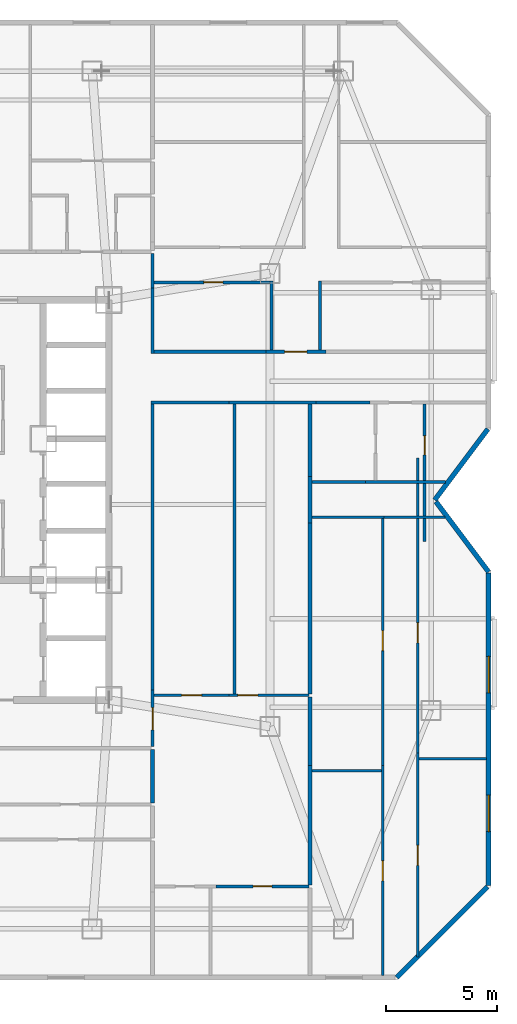
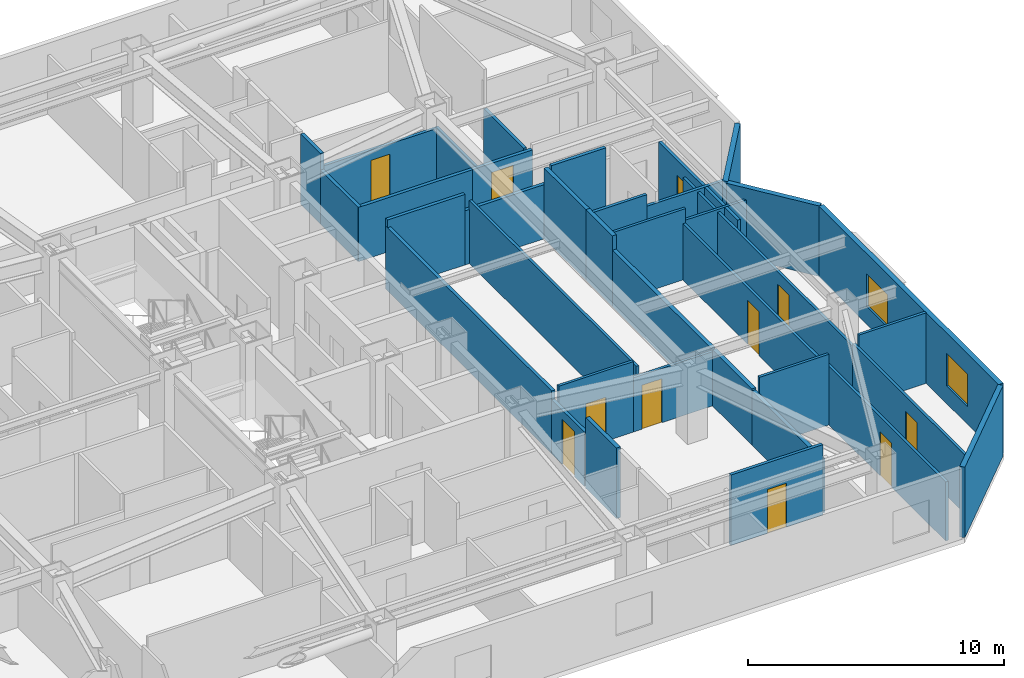
# One storey, part 14 of 17: 37 walls, 11 doors, 2 windows, 13 openings.
"""IFC4 building model written with IfcOpenShell, lengths in metres."""

from ifc_helpers import new_model, si_unit, direction, frame, frame_2d, origin, place, context, subcontext, project, spatial, rectangle, extrude, material, layer, layer_set, type_object, element, fill, save


model = new_model("IFC4")

# Units and contexts
model_context = context("Model", 3, precision=1e-05, world=origin(), true_north=direction((0.0, 1.0)))
body_context = subcontext(model_context, "Body", "Model", "MODEL_VIEW")
ifc_project = project(units=[si_unit("LENGTHUNIT", "METRE"), si_unit("AREAUNIT", "SQUARE_METRE"), si_unit("VOLUMEUNIT", "CUBIC_METRE"), si_unit("PLANEANGLEUNIT", "RADIAN"), si_unit("MASSUNIT", "GRAM", prefix="KILO")], contexts=[model_context])

# Site, building, storey
site_placement = place(None, origin())
site = spatial("IfcSite", under=ifc_project, at=site_placement, CompositionType="ELEMENT")
building_placement = place(site_placement, origin())
building = spatial("IfcBuilding", under=site, at=building_placement, Name="Khamvora Tower", CompositionType="ELEMENT")
storey_placement = place(building_placement, frame((0.0, 0.0, 142.050048828125)))
storey = spatial("IfcBuildingStorey", under=building, at=storey_placement, Name="L36", CompositionType="ELEMENT", Elevation=142.050048828125)

# Wall, opening, door
ifc_material_1 = material(Name="Fire-Rated Drywall and Steel Stud", Category="steel")
ifc_layer_1 = layer(ifc_material_1, 0.14990234375)
ifc_layer_set_1 = layer_set([ifc_layer_1], Name="Fire-Rated Drywall and Steel Stud")
wall_type_1 = type_object("IfcWallType", Name="WAL-CORR-150", PredefinedType="STANDARD", material=ifc_layer_set_1)
wall_1_placement = place(storey_placement, frame((41.364990234375, 19.458984375, 0.0), z_axis=(0.0, 0.0, 1.0), x_axis=(0.0, -1.0, 0.0)))
wall_1 = element("IfcWall", 1, at=wall_1_placement, inside=storey, type_object=wall_type_1, Name="L36 interior partition wall 028", PredefinedType="STANDARD", context=body_context, shape_type="SweptSolid", body=[
    extrude(rectangle(XDim=2.55908203125, YDim=0.14990234375, at=frame_2d((1.279541015625, 0.0))), origin(), (0.0, 0.0, 1.0), 2.5869140625),
])
opening_1_placement = place(wall_1_placement, frame((0.800048828125, 0.0, 0.0)))
opening_1 = element("IfcOpeningElement", 2, at=opening_1_placement, cuts=wall_1, Name="Opening D-U1", PredefinedType="OPENING", context=body_context, shape_type="SweptSolid", body=[
    extrude(rectangle(XDim=1.0, YDim=2.14990234375, at=frame_2d((0.5, 1.074951171875))), frame((0.0, 0.0849609375, 0.0), z_axis=(0.0, -1.0, 0.0), x_axis=(1.0, 0.0, 0.0)), (0.0, 0.0, 1.0), 0.169921875),
])
ifc_material_2 = material(Name="Powder-Coated Steel and Hardwood Leaf", Category="steel")
door_type_1 = type_object("IfcDoorType", Name="DOR-UNIT-1000", OperationType="NOTDEFINED", PredefinedType="DOOR", material=ifc_material_2)
door_1_placement = place(opening_1_placement, origin())
door_1 = element("IfcDoor", 3, at=door_1_placement, inside=storey, type_object=door_type_1, Name="L36 interior door COR-36EAH", OperationType="SINGLE_SWING_RIGHT", OverallHeight=2.14990234375, OverallWidth=1.0, PredefinedType="DOOR", context=body_context, shape_type="SweptSolid", body=[
    extrude(rectangle(XDim=1.0, YDim=2.14990234375, at=frame_2d((0.5, 1.074951171875))), frame((0.0, 0.02490234375, 0.0), z_axis=(0.0, -1.0, 0.0), x_axis=(1.0, 0.0, 0.0)), (0.0, 0.0, 1.0), 0.050048828125),
])
fill(opening_1, door_1)

# Walls
wall_2_placement = place(storey_placement, frame((48.708984375, 32.385009765625, 0.0), z_axis=(0.0, 0.0, 1.0), x_axis=(-1.0, 0.0, 0.0)))
element("IfcWall", 4, at=wall_2_placement, inside=storey, type_object=wall_type_1, Name="L36 interior partition wall 029", PredefinedType="STANDARD", context=body_context, shape_type="SweptSolid", body=[
    extrude(rectangle(XDim=3.906005859375, YDim=0.14990234375, at=frame_2d((1.953125, 0.0))), origin(), (0.0, 0.0, 1.0), 2.5869140625),
])
wall_3_placement = place(storey_placement, frame((44.802978515625, 32.385009765625, 0.0), z_axis=(0.0, 0.0, 1.0), x_axis=(-1.0, 0.0, 0.0)))
element("IfcWall", 5, at=wall_3_placement, inside=storey, type_object=wall_type_1, Name="L36 interior partition wall 030", PredefinedType="STANDARD", context=body_context, shape_type="SweptSolid", body=[
    extrude(rectangle(XDim=3.5029296875, YDim=0.14990234375, at=frame_2d((1.75146484375, 0.0))), origin(), (0.0, 0.0, 1.0), 3.369873046875),
])
wall_4_placement = place(storey_placement, frame((41.364990234375, 32.449951171875, 0.0), z_axis=(0.0, 0.0, 1.0), x_axis=(0.0, -1.0, 0.0)))
element("IfcWall", 6, at=wall_4_placement, inside=storey, type_object=wall_type_1, Name="L36 interior partition wall 031", PredefinedType="STANDARD", context=body_context, shape_type="SweptSolid", body=[
    extrude(rectangle(XDim=12.990966796875, YDim=0.14990234375, at=frame_2d((6.49560546875, 0.0))), origin(), (0.0, 0.0, 1.0), 3.0048828125),
])
wall_5_placement = place(storey_placement, frame((51.157958984375, 32.385009765625, 0.0), z_axis=(0.0, 0.0, 1.0), x_axis=(-1.0, 0.0, 0.0)))
element("IfcWall", 7, at=wall_5_placement, inside=storey, type_object=wall_type_1, Name="L36 interior partition wall 034", PredefinedType="STANDARD", context=body_context, shape_type="SweptSolid", body=[
    extrude(rectangle(XDim=2.448974609375, YDim=0.14990234375, at=frame_2d((1.224609375, 0.0))), origin(), (0.0, 0.0, 1.0), 3.369873046875),
])
wall_6_placement = place(storey_placement, frame((41.364990234375, 39.10009765625, 0.0), z_axis=(0.0, 0.0, 1.0), x_axis=(0.0, -1.0, 0.0)))
element("IfcWall", 8, at=wall_6_placement, inside=storey, type_object=wall_type_1, Name="L36 interior partition wall 035", PredefinedType="STANDARD", context=body_context, shape_type="SweptSolid", body=[
    extrude(rectangle(XDim=1.55712890625, YDim=0.14990234375, at=frame_2d((0.778564453125, 0.0))), origin(), (0.0, 0.0, 1.0), 3.369873046875),
])

# Wall, opening, door
wall_7_placement = place(storey_placement, frame((46.4609375, 34.6650390625, 0.0), z_axis=(0.0, 0.0, 1.0), x_axis=(1.0, 0.0, 0.0)))
wall_7 = element("IfcWall", 9, at=wall_7_placement, inside=storey, type_object=wall_type_1, Name="L36 interior partition wall 036", PredefinedType="STANDARD", context=body_context, shape_type="SweptSolid", body=[
    extrude(rectangle(XDim=2.697998046875, YDim=0.14990234375, at=frame_2d((1.34912109375, 0.0))), origin(), (0.0, 0.0, 1.0), 2.5869140625),
])
opening_2_placement = place(wall_7_placement, frame((0.84912109375, 0.0, 0.0)))
opening_2 = element("IfcOpeningElement", 10, at=opening_2_placement, cuts=wall_7, Name="Opening D-U1", PredefinedType="OPENING", context=body_context, shape_type="SweptSolid", body=[
    extrude(rectangle(XDim=1.0, YDim=2.14990234375, at=frame_2d((0.5, 1.074951171875))), frame((0.0, 0.0849609375, 0.0), z_axis=(0.0, -1.0, 0.0), x_axis=(1.0, 0.0, 0.0)), (0.0, 0.0, 1.0), 0.169921875),
])
door_2_placement = place(opening_2_placement, origin())
door_2 = element("IfcDoor", 11, at=door_2_placement, inside=storey, type_object=door_type_1, Name="L36 interior door COR-36ECH", OperationType="SINGLE_SWING_RIGHT", OverallHeight=2.14990234375, OverallWidth=1.0, PredefinedType="DOOR", context=body_context, shape_type="SweptSolid", body=[
    extrude(rectangle(XDim=1.0, YDim=2.14990234375, at=frame_2d((0.5, 1.074951171875))), frame((0.0, 0.02490234375, 0.0), z_axis=(0.0, -1.0, 0.0), x_axis=(1.0, 0.0, 0.0)), (0.0, 0.0, 1.0), 0.050048828125),
])
fill(opening_2, door_2)

# Walls
wall_8_placement = place(storey_placement, frame((41.364990234375, 37.54296875, 0.0), z_axis=(0.0, 0.0, 1.0), x_axis=(0.0, -1.0, 0.0)))
element("IfcWall", 12, at=wall_8_placement, inside=storey, type_object=wall_type_1, Name="L36 interior partition wall 037", PredefinedType="STANDARD", context=body_context, shape_type="SweptSolid", body=[
    extrude(rectangle(XDim=2.94287109375, YDim=0.14990234375, at=frame_2d((1.471435546875, 0.0))), origin(), (0.0, 0.0, 1.0), 2.5869140625),
])
wall_9_placement = place(storey_placement, frame((41.300048828125, 34.6650390625, 0.0), z_axis=(0.0, 0.0, 1.0), x_axis=(1.0, 0.0, 0.0)))
element("IfcWall", 13, at=wall_9_placement, inside=storey, type_object=wall_type_1, Name="L36 interior partition wall 038", PredefinedType="STANDARD", context=body_context, shape_type="SweptSolid", body=[
    extrude(rectangle(XDim=5.160888671875, YDim=0.14990234375, at=frame_2d((2.58056640625, 0.0))), origin(), (0.0, 0.0, 1.0), 2.5869140625),
])
ifc_material_3 = material(Name="Acoustic Double-Stud Fire Wall", Category="gypsum")
ifc_layer_2 = layer(ifc_material_3, 0.179931640625)
ifc_layer_set_2 = layer_set([ifc_layer_2], Name="Acoustic Double-Stud Fire Wall")
wall_type_2 = type_object("IfcWallType", Name="WAL-CORR-180", PredefinedType="STANDARD", material=ifc_layer_set_2)
wall_10_placement = place(storey_placement, frame((41.364990234375, 16.77001953125, 0.0), z_axis=(0.0, 0.0, 1.0), x_axis=(0.0, -1.0, 0.0)))
element("IfcWall", 14, at=wall_10_placement, inside=storey, type_object=wall_type_2, Name="L36 interior partition wall 097", PredefinedType="STANDARD", context=body_context, shape_type="SweptSolid", body=[
    extrude(rectangle(XDim=2.39990234375, YDim=0.179931640625, at=frame_2d((1.199951171875, 0.0))), origin(), (0.0, 0.0, 1.0), 3.369873046875),
])
wall_11_placement = place(storey_placement, frame((48.4599609375, 16.06103515625, 0.0), z_axis=(0.0, 0.0, 1.0), x_axis=(0.0, -1.0, 0.0)))
element("IfcWall", 15, at=wall_11_placement, inside=storey, type_object=wall_type_2, Name="L36 interior partition wall 115", PredefinedType="STANDARD", context=body_context, shape_type="SweptSolid", body=[
    extrude(rectangle(XDim=5.385986328125, YDim=0.179931640625, at=frame_2d((2.69287109375, 0.0))), origin(), (0.0, 0.0, 1.0), 2.5869140625),
])
wall_12_placement = place(storey_placement, frame((48.4599609375, 19.14501953125, 0.0), z_axis=(0.0, 0.0, 1.0), x_axis=(0.0, -1.0, 0.0)))
element("IfcWall", 16, at=wall_12_placement, inside=storey, type_object=wall_type_2, Name="L36 interior partition wall 116", PredefinedType="STANDARD", context=body_context, shape_type="SweptSolid", body=[
    extrude(rectangle(XDim=3.083984375, YDim=0.179931640625, at=frame_2d((1.5419921875, 0.0))), origin(), (0.0, 0.0, 1.0), 2.68701171875),
])
wall_13_placement = place(storey_placement, frame((48.4599609375, 29.053955078125, 0.0), z_axis=(0.0, 0.0, 1.0), x_axis=(0.0, -1.0, 0.0)))
element("IfcWall", 17, at=wall_13_placement, inside=storey, type_object=wall_type_2, Name="L36 interior partition wall 118", PredefinedType="STANDARD", context=body_context, shape_type="SweptSolid", body=[
    extrude(rectangle(XDim=2.077880859375, YDim=0.179931640625, at=frame_2d((1.0390625, 0.0))), origin(), (0.0, 0.0, 1.0), 3.369873046875),
])
wall_14_placement = place(storey_placement, frame((48.4599609375, 32.318115234375, 0.0), z_axis=(0.0, 0.0, 1.0), x_axis=(0.0, -1.0, 0.0)))
element("IfcWall", 18, at=wall_14_placement, inside=storey, type_object=wall_type_2, Name="L36 interior partition wall 119", PredefinedType="STANDARD", context=body_context, shape_type="SweptSolid", body=[
    extrude(rectangle(XDim=3.26416015625, YDim=0.179931640625, at=frame_2d((1.632080078125, 0.0))), origin(), (0.0, 0.0, 1.0), 3.369873046875),
])
wall_15_placement = place(storey_placement, frame((48.4599609375, 26.97607421875, 0.0), z_axis=(0.0, 0.0, 1.0), x_axis=(0.0, -1.0, 0.0)))
element("IfcWall", 19, at=wall_15_placement, inside=storey, type_object=wall_type_2, Name="L36 interior partition wall 120", PredefinedType="STANDARD", context=body_context, shape_type="SweptSolid", body=[
    extrude(rectangle(XDim=7.701171875, YDim=0.179931640625, at=frame_2d((3.8505859375, 0.0))), origin(), (0.0, 0.0, 1.0), 2.68701171875),
])
ifc_material_4 = material(Name="Precast concrete C40/50", Category="concrete")
ifc_layer_3 = layer(ifc_material_4, 0.219970703125)
ifc_layer_set_3 = layer_set([ifc_layer_3], Name="Precast concrete C40/50")
wall_type_3 = type_object("IfcWallType", Name="WAL-EXT-220", PredefinedType="STANDARD", material=ifc_layer_set_3)
wall_16_placement = place(storey_placement, frame((56.4560546875, 31.19091796875, 0.0), z_axis=(0.0, 0.0, 1.0), x_axis=(-0.600137081448, -0.799897170561, 0.0)))
element("IfcWall", 20, at=wall_16_placement, inside=storey, type_object=wall_type_3, Name="L36 exterior facade wall 10.1", PredefinedType="STANDARD", context=body_context, shape_type="SweptSolid", body=[
    extrude(rectangle(XDim=3.9892578125, YDim=0.219970703125, at=frame_2d((1.99462890625, 0.0))), origin(), (0.0, 0.0, 1.0), 3.369873046875),
])
wall_17_placement = place(storey_placement, frame((54.118896484375, 27.924072265625, 0.0), z_axis=(0.0, 0.0, 1.0), x_axis=(0.600039540588, -0.799970343032, 0.0)))
element("IfcWall", 21, at=wall_17_placement, inside=storey, type_object=wall_type_3, Name="L36 exterior facade wall 11.1", PredefinedType="STANDARD", context=body_context, shape_type="SweptSolid", body=[
    extrude(rectangle(XDim=3.95166015625, YDim=0.219970703125, at=frame_2d((1.975830078125, 0.0))), origin(), (0.0, 0.0, 1.0), 3.369873046875),
])

# Wall, openings, windows
wall_18_placement = place(storey_placement, frame((56.489990234375, 24.70703125, 0.0), z_axis=(0.0, 0.0, 1.0), x_axis=(0.0, -1.0, 0.0)))
wall_18 = element("IfcWall", 22, at=wall_18_placement, inside=storey, type_object=wall_type_3, Name="L36 exterior facade wall 12.1", PredefinedType="STANDARD", context=body_context, shape_type="SweptSolid", body=[
    extrude(rectangle(XDim=14.06103515625, YDim=0.219970703125, at=frame_2d((7.030517578125, 0.0))), origin(), (0.0, 0.0, 1.0), 3.369873046875),
])
opening_3_placement = place(wall_18_placement, frame((9.985107421875, 0.0, 0.85009765625)))
opening_3 = element("IfcOpeningElement", 23, at=opening_3_placement, cuts=wall_18, Name="Opening WN-06", PredefinedType="OPENING", context=body_context, shape_type="SweptSolid", body=[
    extrude(rectangle(XDim=1.64990234375, YDim=1.550048828125, at=frame_2d((0.824951171875, 0.77490234375))), frame((0.0, 0.119873046875, 0.0), z_axis=(0.0, -1.0, 0.0), x_axis=(1.0, 0.0, 0.0)), (0.0, 0.0, 1.0), 0.239990234375),
])
opening_4_placement = place(wall_18_placement, frame((3.739013671875, 0.0, 0.85009765625)))
opening_4 = element("IfcOpeningElement", 24, at=opening_4_placement, cuts=wall_18, Name="Opening WN-06", PredefinedType="OPENING", context=body_context, shape_type="SweptSolid", body=[
    extrude(rectangle(XDim=1.64990234375, YDim=1.550048828125, at=frame_2d((0.824951171875, 0.77490234375))), frame((0.0, 0.119873046875, 0.0), z_axis=(0.0, -1.0, 0.0), x_axis=(1.0, 0.0, 0.0)), (0.0, 0.0, 1.0), 0.239990234375),
])
ifc_material_5 = material(Name="Low-E Laminated Double Glazing", Category="glass")
window_type = type_object("IfcWindowType", Name="WIN-VIS-1650x1550", PartitioningType="SINGLE_PANEL", PredefinedType="WINDOW", material=ifc_material_5)
window_1_placement = place(opening_3_placement, origin())
window_1 = element("IfcWindow", 25, at=window_1_placement, inside=storey, type_object=window_type, Name="L36 vision window 12.1.01", OverallHeight=1.550048828125, OverallWidth=1.64990234375, PartitioningType="SINGLE_PANEL", PredefinedType="WINDOW", context=body_context, shape_type="SweptSolid", body=[
    extrude(rectangle(XDim=1.64990234375, YDim=1.550048828125, at=frame_2d((0.824951171875, 0.77490234375))), frame((0.0, 0.030029296875, 0.0), z_axis=(0.0, -1.0, 0.0), x_axis=(1.0, 0.0, 0.0)), (0.0, 0.0, 1.0), 0.06005859375),
])
fill(opening_3, window_1)
window_2_placement = place(opening_4_placement, origin())
window_2 = element("IfcWindow", 26, at=window_2_placement, inside=storey, type_object=window_type, Name="L36 vision window 12.1.02", OverallHeight=1.550048828125, OverallWidth=1.64990234375, PartitioningType="SINGLE_PANEL", PredefinedType="WINDOW", context=body_context, shape_type="SweptSolid", body=[
    extrude(rectangle(XDim=1.64990234375, YDim=1.550048828125, at=frame_2d((0.824951171875, 0.77490234375))), frame((0.0, 0.030029296875, 0.0), z_axis=(0.0, -1.0, 0.0), x_axis=(1.0, 0.0, 0.0)), (0.0, 0.0, 1.0), 0.06005859375),
])
fill(opening_4, window_2)

# Wall
wall_19_placement = place(storey_placement, frame((56.43994140625, 10.595947265625, 0.0), z_axis=(0.0, 0.0, 1.0), x_axis=(-0.707106781187, -0.707106781187, 0.0)))
element("IfcWall", 27, at=wall_19_placement, inside=storey, type_object=wall_type_3, Name="L36 exterior facade wall 13.1", PredefinedType="STANDARD", context=body_context, shape_type="SweptSolid", body=[
    extrude(rectangle(XDim=5.7783203125, YDim=0.219970703125, at=frame_2d((2.88916015625, 0.0))), origin(), (0.0, 0.0, 1.0), 3.369873046875),
])

# Wall, opening, door
ifc_material_6 = material(Name="Gypsum Plasterboard Partition", Category="gypsum")
ifc_layer_4 = layer(ifc_material_6, 0.1201171875)
ifc_layer_set_4 = layer_set([ifc_layer_4], Name="Gypsum Plasterboard Partition")
wall_type_4 = type_object("IfcWallType", Name="WAL-PART-120", PredefinedType="PARTITIONING", material=ifc_layer_set_4)
wall_20_placement = place(storey_placement, frame((44.802978515625, 19.2099609375, 0.0), z_axis=(0.0, 0.0, 1.0), x_axis=(1.0, 0.0, 0.0)))
wall_20 = element("IfcWall", 28, at=wall_20_placement, inside=storey, type_object=wall_type_4, Name="L36 interior partition wall 111", PredefinedType="PARTITIONING", context=body_context, shape_type="SweptSolid", body=[
    extrude(rectangle(XDim=3.592041015625, YDim=0.1201171875, at=frame_2d((1.7958984375, 0.0))), origin(), (0.0, 0.0, 1.0), 2.5869140625),
])
opening_5_placement = place(wall_20_placement, frame((0.39697265625, 0.0, 0.0)))
opening_5 = element("IfcOpeningElement", 29, at=opening_5_placement, cuts=wall_20, Name="Opening D-RM1", PredefinedType="OPENING", context=body_context, shape_type="SweptSolid", body=[
    extrude(rectangle(XDim=0.89990234375, YDim=2.10009765625, at=frame_2d((0.449951171875, 1.050048828125))), frame((0.0, 0.070068359375, 0.0), z_axis=(0.0, -1.0, 0.0), x_axis=(1.0, 0.0, 0.0)), (0.0, 0.0, 1.0), 0.14013671875),
])
door_type_2 = type_object("IfcDoorType", Name="DOR-ROOM-900", OperationType="NOTDEFINED", PredefinedType="DOOR", material=ifc_material_2)
door_3_placement = place(opening_5_placement, origin())
door_3 = element("IfcDoor", 30, at=door_3_placement, inside=storey, type_object=door_type_2, Name="L36 interior door 36EAH-36EAR2", OperationType="SINGLE_SWING_LEFT", OverallHeight=2.10009765625, OverallWidth=0.89990234375, PredefinedType="DOOR", context=body_context, shape_type="SweptSolid", body=[
    extrude(rectangle(XDim=0.89990234375, YDim=2.10009765625, at=frame_2d((0.449951171875, 1.050048828125))), frame((0.0, 0.02490234375, 0.0), z_axis=(0.0, -1.0, 0.0), x_axis=(1.0, 0.0, 0.0)), (0.0, 0.0, 1.0), 0.050048828125),
])
fill(opening_5, door_3)

wall_21_placement = place(storey_placement, frame((41.431884765625, 19.2099609375, 0.0), z_axis=(0.0, 0.0, 1.0), x_axis=(1.0, 0.0, 0.0)))
wall_21 = element("IfcWall", 31, at=wall_21_placement, inside=storey, type_object=wall_type_4, Name="L36 interior partition wall 114", PredefinedType="PARTITIONING", context=body_context, shape_type="SweptSolid", body=[
    extrude(rectangle(XDim=3.37109375, YDim=0.1201171875, at=frame_2d((1.685546875, 0.0))), origin(), (0.0, 0.0, 1.0), 3.369873046875),
])
opening_6_placement = place(wall_21_placement, frame((1.236083984375, 0.0, 0.0)))
opening_6 = element("IfcOpeningElement", 32, at=opening_6_placement, cuts=wall_21, Name="Opening D-RM1", PredefinedType="OPENING", context=body_context, shape_type="SweptSolid", body=[
    extrude(rectangle(XDim=0.89990234375, YDim=2.10009765625, at=frame_2d((0.449951171875, 1.050048828125))), frame((0.0, 0.070068359375, 0.0), z_axis=(0.0, -1.0, 0.0), x_axis=(1.0, 0.0, 0.0)), (0.0, 0.0, 1.0), 0.14013671875),
])
door_4_placement = place(opening_6_placement, origin())
door_4 = element("IfcDoor", 33, at=door_4_placement, inside=storey, type_object=door_type_2, Name="L36 interior door 36EAH-36EAR1", OperationType="SINGLE_SWING_LEFT", OverallHeight=2.10009765625, OverallWidth=0.89990234375, PredefinedType="DOOR", context=body_context, shape_type="SweptSolid", body=[
    extrude(rectangle(XDim=0.89990234375, YDim=2.10009765625, at=frame_2d((0.449951171875, 1.050048828125))), frame((0.0, 0.02490234375, 0.0), z_axis=(0.0, -1.0, 0.0), x_axis=(1.0, 0.0, 0.0)), (0.0, 0.0, 1.0), 0.050048828125),
])
fill(opening_6, door_4)

# Wall
wall_22_placement = place(storey_placement, frame((45.052001953125, 19.263916015625, 0.0), z_axis=(0.0, 0.0, 1.0), x_axis=(0.0, 1.0, 0.0)))
element("IfcWall", 34, at=wall_22_placement, inside=storey, type_object=wall_type_4, Name="L36 interior partition wall 117", PredefinedType="PARTITIONING", context=body_context, shape_type="SweptSolid", body=[
    extrude(rectangle(XDim=13.05419921875, YDim=0.1201171875, at=frame_2d((6.527099609375, 0.0))), origin(), (0.0, 0.0, 1.0), 3.0048828125),
])

# Wall, opening, door
wall_23_placement = place(storey_placement, frame((51.722900390625, 6.612060546875, 0.0), z_axis=(0.0, 0.0, 1.0), x_axis=(0.0, 1.0, 0.0)))
wall_23 = element("IfcWall", 35, at=wall_23_placement, inside=storey, type_object=wall_type_4, Name="L36 interior partition wall 127", PredefinedType="PARTITIONING", context=body_context, shape_type="SweptSolid", body=[
    extrude(rectangle(XDim=9.448974609375, YDim=0.1201171875, at=frame_2d((4.724609375, 0.0))), origin(), (0.0, 0.0, 1.0), 2.81591796875),
])
opening_7_placement = place(wall_23_placement, frame((4.2529296875, 0.0, 0.0)))
opening_7 = element("IfcOpeningElement", 36, at=opening_7_placement, cuts=wall_23, Name="Opening D-RM1", PredefinedType="OPENING", context=body_context, shape_type="SweptSolid", body=[
    extrude(rectangle(XDim=0.89990234375, YDim=2.10009765625, at=frame_2d((0.449951171875, 1.050048828125))), frame((0.0, 0.070068359375, 0.0), z_axis=(0.0, -1.0, 0.0), x_axis=(1.0, 0.0, 0.0)), (0.0, 0.0, 1.0), 0.14013671875),
])
door_5_placement = place(opening_7_placement, origin())
door_5 = element("IfcDoor", 37, at=door_5_placement, inside=storey, type_object=door_type_2, Name="L36 interior door 36EBH-36EBL", OperationType="SINGLE_SWING_RIGHT", OverallHeight=2.10009765625, OverallWidth=0.89990234375, PredefinedType="DOOR", context=body_context, shape_type="SweptSolid", body=[
    extrude(rectangle(XDim=0.89990234375, YDim=2.10009765625, at=frame_2d((0.449951171875, 1.050048828125))), frame((0.0, 0.02490234375, 0.0), z_axis=(0.0, -1.0, 0.0), x_axis=(1.0, 0.0, 0.0)), (0.0, 0.0, 1.0), 0.050048828125),
])
fill(opening_7, door_5)

wall_24_placement = place(storey_placement, frame((51.722900390625, 16.06103515625, 0.0), z_axis=(0.0, 0.0, 1.0), x_axis=(0.0, 1.0, 0.0)))
wall_24 = element("IfcWall", 38, at=wall_24_placement, inside=storey, type_object=wall_type_4, Name="L36 interior partition wall 128", PredefinedType="PARTITIONING", context=body_context, shape_type="SweptSolid", body=[
    extrude(rectangle(XDim=11.22900390625, YDim=0.1201171875, at=frame_2d((5.614501953125, 0.0))), origin(), (0.0, 0.0, 1.0), 2.68701171875),
])
opening_8_placement = place(wall_24_placement, frame((5.1640625, 0.0, 0.0)))
opening_8 = element("IfcOpeningElement", 39, at=opening_8_placement, cuts=wall_24, Name="Opening D-RM1", PredefinedType="OPENING", context=body_context, shape_type="SweptSolid", body=[
    extrude(rectangle(XDim=0.89990234375, YDim=2.10009765625, at=frame_2d((0.449951171875, 1.050048828125))), frame((0.0, 0.070068359375, 0.0), z_axis=(0.0, -1.0, 0.0), x_axis=(1.0, 0.0, 0.0)), (0.0, 0.0, 1.0), 0.14013671875),
])
door_6_placement = place(opening_8_placement, origin())
door_6 = element("IfcDoor", 40, at=door_6_placement, inside=storey, type_object=door_type_2, Name="L36 interior door 36EBH-36EBR2", OperationType="SINGLE_SWING_LEFT", OverallHeight=2.10009765625, OverallWidth=0.89990234375, PredefinedType="DOOR", context=body_context, shape_type="SweptSolid", body=[
    extrude(rectangle(XDim=0.89990234375, YDim=2.10009765625, at=frame_2d((0.449951171875, 1.050048828125))), frame((0.0, 0.02490234375, 0.0), z_axis=(0.0, -1.0, 0.0), x_axis=(1.0, 0.0, 0.0)), (0.0, 0.0, 1.0), 0.050048828125),
])
fill(opening_8, door_6)

# Wall
wall_25_placement = place(storey_placement, frame((51.7880859375, 27.22509765625, 0.0), z_axis=(0.0, 0.0, 1.0), x_axis=(-1.0, 0.0, 0.0)))
element("IfcWall", 41, at=wall_25_placement, inside=storey, type_object=wall_type_4, Name="L36 interior partition wall 129", PredefinedType="PARTITIONING", context=body_context, shape_type="SweptSolid", body=[
    extrude(rectangle(XDim=3.24609375, YDim=0.1201171875, at=frame_2d((1.623046875, 0.0))), origin(), (0.0, 0.0, 1.0), 3.369873046875),
])

# Wall, opening, door
wall_26_placement = place(storey_placement, frame((53.2919921875, 16.612060546875, 0.0), z_axis=(0.0, 0.0, 1.0), x_axis=(0.0, -1.0, 0.0)))
wall_26 = element("IfcWall", 42, at=wall_26_placement, inside=storey, type_object=wall_type_4, Name="L36 interior partition wall 130", PredefinedType="PARTITIONING", context=body_context, shape_type="SweptSolid", body=[
    extrude(rectangle(XDim=9.173095703125, YDim=0.1201171875, at=frame_2d((4.58642578125, 0.0))), origin(), (0.0, 0.0, 1.0), 2.81591796875),
])
opening_9_placement = place(wall_26_placement, frame((4.156982421875, 0.0, 0.0)))
opening_9 = element("IfcOpeningElement", 43, at=opening_9_placement, cuts=wall_26, Name="Opening D-RM1", PredefinedType="OPENING", context=body_context, shape_type="SweptSolid", body=[
    extrude(rectangle(XDim=0.89990234375, YDim=2.10009765625, at=frame_2d((0.449951171875, 1.050048828125))), frame((0.0, 0.070068359375, 0.0), z_axis=(0.0, -1.0, 0.0), x_axis=(1.0, 0.0, 0.0)), (0.0, 0.0, 1.0), 0.14013671875),
])
door_7_placement = place(opening_9_placement, origin())
door_7 = element("IfcDoor", 44, at=door_7_placement, inside=storey, type_object=door_type_2, Name="L36 interior door 36EBH-36EBR3", OperationType="SINGLE_SWING_RIGHT", OverallHeight=2.10009765625, OverallWidth=0.89990234375, PredefinedType="DOOR", context=body_context, shape_type="SweptSolid", body=[
    extrude(rectangle(XDim=0.89990234375, YDim=2.10009765625, at=frame_2d((0.449951171875, 1.050048828125))), frame((0.0, 0.02490234375, 0.0), z_axis=(0.0, -1.0, 0.0), x_axis=(1.0, 0.0, 0.0)), (0.0, 0.0, 1.0), 0.050048828125),
])
fill(opening_9, door_7)

# Wall
wall_27_placement = place(storey_placement, frame((54.531982421875, 27.22509765625, 0.0), z_axis=(0.0, 0.0, 1.0), x_axis=(-1.0, 0.0, 0.0)))
element("IfcWall", 45, at=wall_27_placement, inside=storey, type_object=wall_type_4, Name="L36 interior partition wall 131", PredefinedType="PARTITIONING", context=body_context, shape_type="SweptSolid", body=[
    extrude(rectangle(XDim=2.743896484375, YDim=0.1201171875, at=frame_2d((1.3720703125, 0.0))), origin(), (0.0, 0.0, 1.0), 2.81591796875),
])

# Wall, opening, door
wall_28_placement = place(storey_placement, frame((53.2919921875, 29.889892578125, 0.0), z_axis=(0.0, 0.0, 1.0), x_axis=(0.0, -1.0, 0.0)))
wall_28 = element("IfcWall", 46, at=wall_28_placement, inside=storey, type_object=wall_type_4, Name="L36 interior partition wall 132", PredefinedType="PARTITIONING", context=body_context, shape_type="SweptSolid", body=[
    extrude(rectangle(XDim=13.27783203125, YDim=0.1201171875, at=frame_2d((6.638916015625, 0.0))), origin(), (0.0, 0.0, 1.0), 2.68701171875),
])
opening_10_placement = place(wall_28_placement, frame((7.41796875, 0.0, 0.0)))
opening_10 = element("IfcOpeningElement", 47, at=opening_10_placement, cuts=wall_28, Name="Opening D-RM1", PredefinedType="OPENING", context=body_context, shape_type="SweptSolid", body=[
    extrude(rectangle(XDim=0.89990234375, YDim=2.10009765625, at=frame_2d((0.449951171875, 1.050048828125))), frame((0.0, 0.070068359375, 0.0), z_axis=(0.0, -1.0, 0.0), x_axis=(1.0, 0.0, 0.0)), (0.0, 0.0, 1.0), 0.14013671875),
])
door_8_placement = place(opening_10_placement, origin())
door_8 = element("IfcDoor", 48, at=door_8_placement, inside=storey, type_object=door_type_2, Name="L36 interior door 36EBH-36EBR4", OperationType="SINGLE_SWING_RIGHT", OverallHeight=2.10009765625, OverallWidth=0.89990234375, PredefinedType="DOOR", context=body_context, shape_type="SweptSolid", body=[
    extrude(rectangle(XDim=0.89990234375, YDim=2.10009765625, at=frame_2d((0.449951171875, 1.050048828125))), frame((0.0, 0.02490234375, 0.0), z_axis=(0.0, -1.0, 0.0), x_axis=(1.0, 0.0, 0.0)), (0.0, 0.0, 1.0), 0.050048828125),
])
fill(opening_10, door_8)

# Walls
wall_29_placement = place(storey_placement, frame((48.5419921875, 15.81201171875, 0.0), z_axis=(0.0, 0.0, 1.0), x_axis=(1.0, 0.0, 0.0)))
element("IfcWall", 49, at=wall_29_placement, inside=storey, type_object=wall_type_4, Name="L36 interior partition wall 133", PredefinedType="PARTITIONING", context=body_context, shape_type="SweptSolid", body=[
    extrude(rectangle(XDim=3.126953125, YDim=0.1201171875, at=frame_2d((1.5634765625, 0.0))), origin(), (0.0, 0.0, 1.0), 3.369873046875),
])
wall_30_placement = place(storey_placement, frame((53.345947265625, 16.363037109375, 0.0), z_axis=(0.0, 0.0, 1.0), x_axis=(1.0, 0.0, 0.0)))
element("IfcWall", 50, at=wall_30_placement, inside=storey, type_object=wall_type_4, Name="L36 interior partition wall 134", PredefinedType="PARTITIONING", context=body_context, shape_type="SweptSolid", body=[
    extrude(rectangle(XDim=3.0419921875, YDim=0.1201171875, at=frame_2d((1.52099609375, 0.0))), origin(), (0.0, 0.0, 1.0), 3.369873046875),
])

# Wall, opening, door
ifc_material_7 = material(Name="Moisture-Resistant Plasterboard Partition", Category="gypsum")
ifc_layer_5 = layer(ifc_material_7, 0.135009765625)
ifc_layer_set_5 = layer_set([ifc_layer_5], Name="Moisture-Resistant Plasterboard Partition")
wall_type_5 = type_object("IfcWallType", Name="WAL-WET-135", PredefinedType="PARTITIONING", material=ifc_layer_set_5)
wall_31_placement = place(storey_placement, frame((48.39501953125, 10.610107421875, 0.0), z_axis=(0.0, 0.0, 1.0), x_axis=(-1.0, 0.0, 0.0)))
wall_31 = element("IfcWall", 51, at=wall_31_placement, inside=storey, type_object=wall_type_5, Name="L36 interior partition wall 113", PredefinedType="PARTITIONING", context=body_context, shape_type="SweptSolid", body=[
    extrude(rectangle(XDim=4.166015625, YDim=0.135009765625, at=frame_2d((2.0830078125, 0.0))), origin(), (0.0, 0.0, 1.0), 3.369873046875),
])
opening_11_placement = place(wall_31_placement, frame((1.657958984375, 0.0, 0.0)))
opening_11 = element("IfcOpeningElement", 52, at=opening_11_placement, cuts=wall_31, Name="Opening D-RM2", PredefinedType="OPENING", context=body_context, shape_type="SweptSolid", body=[
    extrude(rectangle(XDim=0.85009765625, YDim=2.10009765625, at=frame_2d((0.425048828125, 1.050048828125))), frame((0.0, 0.077392578125, 0.0), z_axis=(0.0, -1.0, 0.0), x_axis=(1.0, 0.0, 0.0)), (0.0, 0.0, 1.0), 0.155029296875),
])
door_type_3 = type_object("IfcDoorType", Name="DOR-ROOM-850", OperationType="NOTDEFINED", PredefinedType="DOOR", material=ifc_material_2)
door_9_placement = place(opening_11_placement, origin())
door_9 = element("IfcDoor", 53, at=door_9_placement, inside=storey, type_object=door_type_3, Name="L36 interior door 36EAH-36EAK", OperationType="SINGLE_SWING_RIGHT", OverallHeight=2.10009765625, OverallWidth=0.85009765625, PredefinedType="DOOR", context=body_context, shape_type="SweptSolid", body=[
    extrude(rectangle(XDim=0.85009765625, YDim=2.10009765625, at=frame_2d((0.425048828125, 1.050048828125))), frame((0.0, 0.02490234375, 0.0), z_axis=(0.0, -1.0, 0.0), x_axis=(1.0, 0.0, 0.0)), (0.0, 0.0, 1.0), 0.050048828125),
])
fill(opening_11, door_9)

wall_32_placement = place(storey_placement, frame((53.60791015625, 32.318115234375, 0.0), z_axis=(0.0, 0.0, 1.0), x_axis=(0.0, -1.0, 0.0)))
wall_32 = element("IfcWall", 54, at=wall_32_placement, inside=storey, type_object=wall_type_5, Name="L36 interior partition wall 123", PredefinedType="PARTITIONING", context=body_context, shape_type="SweptSolid", body=[
    extrude(rectangle(XDim=6.17822265625, YDim=0.135009765625, at=frame_2d((3.089111328125, 0.0))), origin(), (0.0, 0.0, 1.0), 2.81591796875),
])
opening_12_placement = place(wall_32_placement, frame((1.43505859375, 0.0, 0.0)))
opening_12 = element("IfcOpeningElement", 55, at=opening_12_placement, cuts=wall_32, Name="Opening D-WC1", PredefinedType="OPENING", context=body_context, shape_type="SweptSolid", body=[
    extrude(rectangle(XDim=0.85009765625, YDim=2.10009765625, at=frame_2d((0.425048828125, 1.050048828125))), frame((0.0, 0.077392578125, 0.0), z_axis=(0.0, -1.0, 0.0), x_axis=(1.0, 0.0, 0.0)), (0.0, 0.0, 1.0), 0.155029296875),
])
door_type_4 = type_object("IfcDoorType", Name="DOR-WET-850", OperationType="NOTDEFINED", PredefinedType="DOOR", material=ifc_material_2)
door_10_placement = place(opening_12_placement, origin())
door_10 = element("IfcDoor", 56, at=door_10_placement, inside=storey, type_object=door_type_4, Name="L36 interior door 36EBH-36EBB", OperationType="SINGLE_SWING_LEFT", OverallHeight=2.10009765625, OverallWidth=0.85009765625, PredefinedType="DOOR", context=body_context, shape_type="SweptSolid", body=[
    extrude(rectangle(XDim=0.85009765625, YDim=2.10009765625, at=frame_2d((0.425048828125, 1.050048828125))), frame((0.0, 0.02490234375, 0.0), z_axis=(0.0, -1.0, 0.0), x_axis=(1.0, 0.0, 0.0)), (0.0, 0.0, 1.0), 0.050048828125),
])
fill(opening_12, door_10)

# Walls
wall_33_placement = place(storey_placement, frame((50.943115234375, 28.804931640625, 0.0), z_axis=(0.0, 0.0, 1.0), x_axis=(1.0, 0.0, 0.0)))
element("IfcWall", 57, at=wall_33_placement, inside=storey, type_object=wall_type_5, Name="L36 interior partition wall 124", PredefinedType="PARTITIONING", context=body_context, shape_type="SweptSolid", body=[
    extrude(rectangle(XDim=3.61083984375, YDim=0.135009765625, at=frame_2d((1.805419921875, 0.0))), origin(), (0.0, 0.0, 1.0), 2.81591796875),
])
wall_34_placement = place(storey_placement, frame((48.5419921875, 28.804931640625, 0.0), z_axis=(0.0, 0.0, 1.0), x_axis=(1.0, 0.0, 0.0)))
element("IfcWall", 58, at=wall_34_placement, inside=storey, type_object=wall_type_5, Name="L36 interior partition wall 125", PredefinedType="PARTITIONING", context=body_context, shape_type="SweptSolid", body=[
    extrude(rectangle(XDim=2.401123046875, YDim=0.135009765625, at=frame_2d((1.20068359375, 0.0))), origin(), (0.0, 0.0, 1.0), 3.369873046875),
])
wall_35_placement = place(storey_placement, frame((46.7099609375, 34.73193359375, 0.0), z_axis=(0.0, 0.0, 1.0), x_axis=(0.0, 1.0, 0.0)))
element("IfcWall", 59, at=wall_35_placement, inside=storey, type_object=wall_type_5, Name="L36 interior partition wall 135", PredefinedType="PARTITIONING", context=body_context, shape_type="SweptSolid", body=[
    extrude(rectangle(XDim=3.125, YDim=0.135009765625, at=frame_2d((1.5625, 0.0))), origin(), (0.0, 0.0, 1.0), 2.5869140625),
])

# Wall, opening, door
wall_36_placement = place(storey_placement, frame((46.77490234375, 37.7919921875, 0.0), z_axis=(0.0, 0.0, 1.0), x_axis=(-1.0, 0.0, 0.0)))
wall_36 = element("IfcWall", 60, at=wall_36_placement, inside=storey, type_object=wall_type_5, Name="L36 interior partition wall 136", PredefinedType="PARTITIONING", context=body_context, shape_type="SweptSolid", body=[
    extrude(rectangle(XDim=5.343017578125, YDim=0.135009765625, at=frame_2d((2.67138671875, 0.0))), origin(), (0.0, 0.0, 1.0), 2.5869140625),
])
opening_13_placement = place(wall_36_placement, frame((2.2470703125, 0.0, 0.0)))
opening_13 = element("IfcOpeningElement", 61, at=opening_13_placement, cuts=wall_36, Name="Opening D-WC1", PredefinedType="OPENING", context=body_context, shape_type="SweptSolid", body=[
    extrude(rectangle(XDim=0.85009765625, YDim=2.10009765625, at=frame_2d((0.425048828125, 1.050048828125))), frame((0.0, 0.077392578125, 0.0), z_axis=(0.0, -1.0, 0.0), x_axis=(1.0, 0.0, 0.0)), (0.0, 0.0, 1.0), 0.155029296875),
])
door_11_placement = place(opening_13_placement, origin())
door_11 = element("IfcDoor", 62, at=door_11_placement, inside=storey, type_object=door_type_4, Name="L36 interior door 36ECH-36ECB", OperationType="SINGLE_SWING_LEFT", OverallHeight=2.10009765625, OverallWidth=0.85009765625, PredefinedType="DOOR", context=body_context, shape_type="SweptSolid", body=[
    extrude(rectangle(XDim=0.85009765625, YDim=2.10009765625, at=frame_2d((0.425048828125, 1.050048828125))), frame((0.0, 0.02490234375, 0.0), z_axis=(0.0, -1.0, 0.0), x_axis=(1.0, 0.0, 0.0)), (0.0, 0.0, 1.0), 0.050048828125),
])
fill(opening_13, door_11)

# Wall
wall_37_placement = place(storey_placement, frame((48.909912109375, 37.85693359375, 0.0), z_axis=(0.0, 0.0, 1.0), x_axis=(0.0, -1.0, 0.0)))
element("IfcWall", 63, at=wall_37_placement, inside=storey, type_object=wall_type_5, Name="L36 interior partition wall 138", PredefinedType="PARTITIONING", context=body_context, shape_type="SweptSolid", body=[
    extrude(rectangle(XDim=3.125, YDim=0.135009765625, at=frame_2d((1.5625, 0.0))), origin(), (0.0, 0.0, 1.0), 2.68701171875),
])

save(model, "model.ifc")
